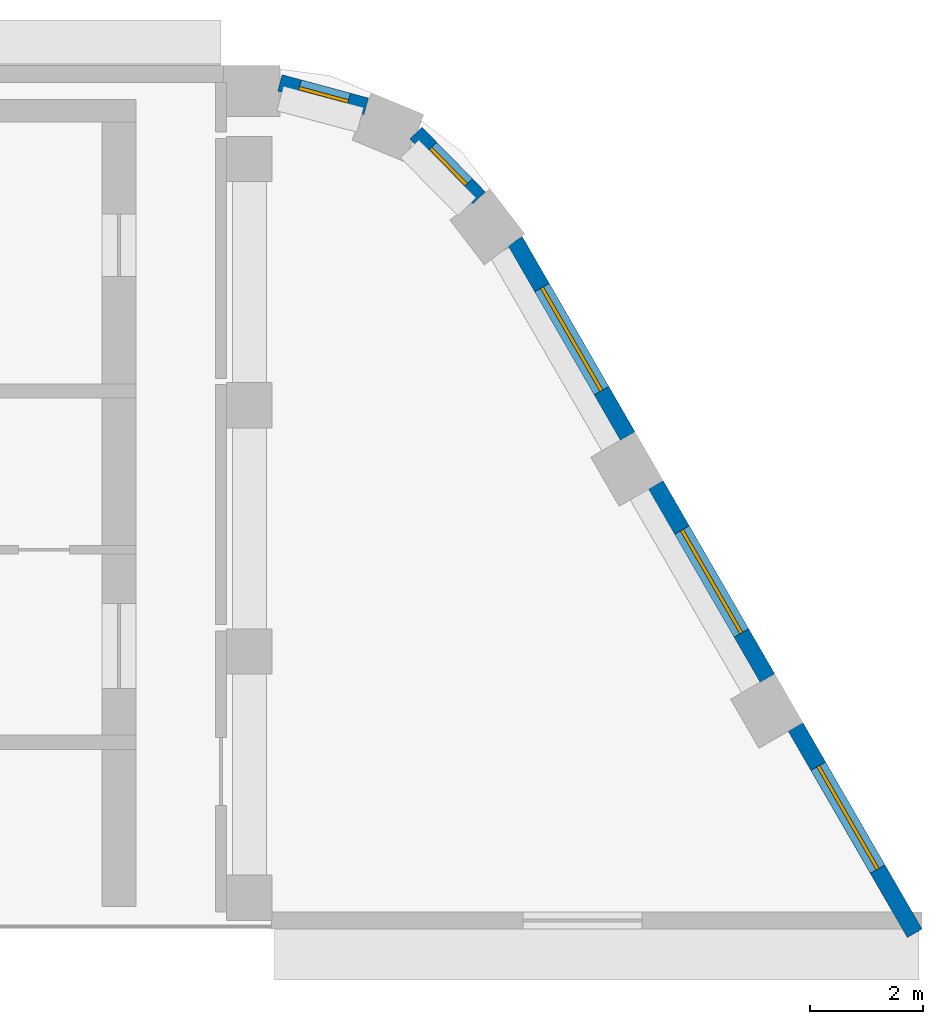
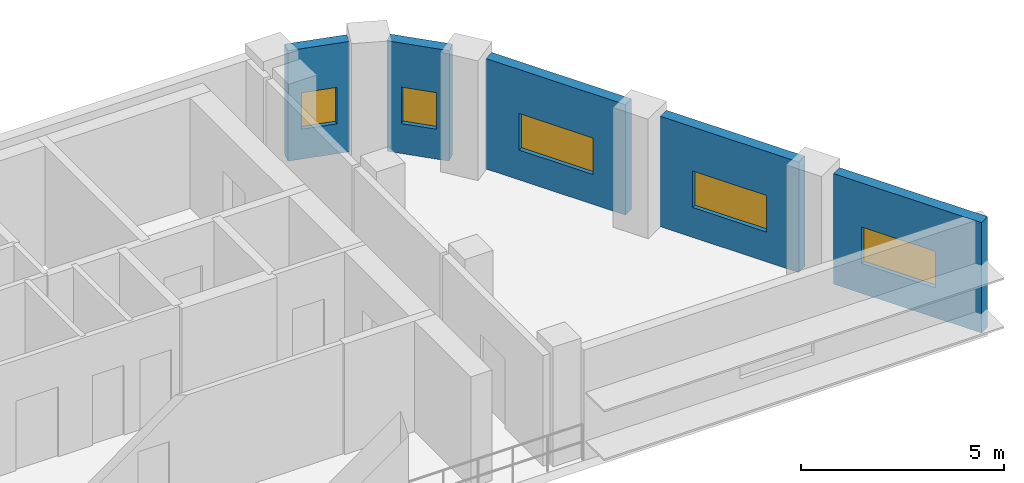
# One storey, part 3 of 4: 5 walls, 5 windows, 5 openings.
"""IFC4 building model written with IfcOpenShell, lengths in metres."""

from ifc_helpers import new_model, si_unit, direction, frame, frame_2d, origin, place, context, subcontext, project, spatial, rectangle, extrude, material, layer, layer_set, type_object, element, fill, save


model = new_model("IFC4")

# Units and contexts
model_context = context("Model", 3, precision=1e-05, world=origin(), true_north=direction((0.0, 1.0)))
body_context = subcontext(model_context, "Body", "Model", "MODEL_VIEW")
ifc_project = project(units=[si_unit("LENGTHUNIT", "METRE"), si_unit("AREAUNIT", "SQUARE_METRE"), si_unit("VOLUMEUNIT", "CUBIC_METRE"), si_unit("PLANEANGLEUNIT", "RADIAN"), si_unit("MASSUNIT", "GRAM", prefix="KILO")], contexts=[model_context])

# Site, building, storey
site_placement = place(None, origin())
site = spatial("IfcSite", under=ifc_project, at=site_placement, CompositionType="ELEMENT")
building_placement = place(site_placement, origin())
building = spatial("IfcBuilding", under=site, at=building_placement, Name="Nakaniwa Court", CompositionType="ELEMENT")
storey_placement = place(building_placement, frame((0.0, 0.0, 294.0)))
storey = spatial("IfcBuildingStorey", under=building, at=storey_placement, Name="C07", CompositionType="ELEMENT", Elevation=294.0)

# Wall, opening, window
ifc_material_1 = material(Name="Charcoal ceramic cladding")
ifc_layer_1 = layer(ifc_material_1, 0.02, Name="Ceramic cladding")
ifc_material_2 = material(Name="Ventilated air cavity")
ifc_layer_2 = layer(ifc_material_2, 0.04, ventilated=True, Name="Ventilated cavity")
ifc_material_3 = material(Name="Mineral wool insulation")
ifc_layer_3 = layer(ifc_material_3, 0.1, Name="Insulation")
ifc_material_4 = material(Name="Cement bonded sheathing board")
ifc_layer_4 = layer(ifc_material_4, 0.012, Name="Sheathing")
ifc_material_5 = material(Name="Cold-formed galvanised stud frame with mineral wool infill")
ifc_layer_5 = layer(ifc_material_5, 0.1, Name="Stud frame")
ifc_material_6 = material(Name="Fire-rated gypsum plasterboard lining")
ifc_layer_6 = layer(ifc_material_6, 0.028, Name="Lining")
ifc_layer_set = layer_set([ifc_layer_1, ifc_layer_2, ifc_layer_3, ifc_layer_4, ifc_layer_5, ifc_layer_6], Name="Charcoal ceramic faced external wall system")
wall_type = type_object("IfcWallType", Name="Black ceramic faced external wall 300", PredefinedType="SOLIDWALL", material=ifc_layer_set)
wall_1_placement = place(storey_placement, frame((101.751708984375, 87.324951171875, 0.0), z_axis=(0.0, 0.0, 1.0), x_axis=(-0.499981865284, 0.866035873614, 0.0)))
wall_1 = element("IfcWall", 1, at=wall_1_placement, inside=storey, type_object=wall_type, Name="C07 external wall 04", PredefinedType="SOLIDWALL", context=body_context, shape_type="SweptSolid", body=[
    extrude(rectangle(XDim=4.209228515625, YDim=0.300048828125, at=frame_2d((2.1044921875, 0.0))), origin(), (0.0, 0.0, 1.0), 3.324951171875),
])
opening_1_placement = place(wall_1_placement, frame((1.30810546875, 0.0, 0.89990234375)))
opening_1 = element("IfcOpeningElement", 2, at=opening_1_placement, cuts=wall_1, Name="Opening W7.02", PredefinedType="OPENING", context=body_context, shape_type="SweptSolid", body=[
    extrude(rectangle(XDim=2.10009765625, YDim=1.10009765625, at=frame_2d((1.050048828125, 0.550048828125))), frame((0.0, 0.159912109375, 0.0), z_axis=(0.0, -1.0, 0.0), x_axis=(1.0, 0.0, 0.0)), (0.0, 0.0, 1.0), 0.320068359375),
])
ifc_material_7 = material(Name="Black anodised aluminium frame with dark low-E laminated double glazing", Category="aluminium")
window_type_1 = type_object("IfcWindowType", Name="Dark glass window 2100x1100 sill 900", PartitioningType="SINGLE_PANEL", PredefinedType="WINDOW", material=ifc_material_7)
window_1_placement = place(opening_1_placement, origin())
window_1 = element("IfcWindow", 3, at=window_1_placement, inside=storey, type_object=window_type_1, Name="C07 habitable room window 04-0", OverallHeight=1.10009765625, OverallWidth=2.10009765625, PartitioningType="SINGLE_PANEL", PredefinedType="WINDOW", context=body_context, shape_type="SweptSolid", body=[
    extrude(rectangle(XDim=2.10009765625, YDim=1.10009765625, at=frame_2d((1.050048828125, 0.550048828125))), frame((0.0, 0.030029296875, 0.0), z_axis=(0.0, -1.0, 0.0), x_axis=(1.0, 0.0, 0.0)), (0.0, 0.0, 1.0), 0.06005859375),
])
fill(opening_1, window_1)

wall_2_placement = place(storey_placement, frame((99.151123046875, 91.8291015625, 0.0), z_axis=(0.0, 0.0, 1.0), x_axis=(-0.499986771468, 0.866033041146, 0.0)))
wall_2 = element("IfcWall", 4, at=wall_2_placement, inside=storey, type_object=wall_type, Name="C07 external wall 05", PredefinedType="SOLIDWALL", context=body_context, shape_type="SweptSolid", body=[
    extrude(rectangle(XDim=3.9443359375, YDim=0.300048828125, at=frame_2d((1.97216796875, 0.0))), origin(), (0.0, 0.0, 1.0), 3.324951171875),
])
opening_2_placement = place(wall_2_placement, frame((0.922119140625, 0.0, 0.89990234375)))
opening_2 = element("IfcOpeningElement", 5, at=opening_2_placement, cuts=wall_2, Name="Opening W7.03", PredefinedType="OPENING", context=body_context, shape_type="SweptSolid", body=[
    extrude(rectangle(XDim=2.10009765625, YDim=1.10009765625, at=frame_2d((1.050048828125, 0.550048828125))), frame((0.0, 0.159912109375, 0.0), z_axis=(0.0, -1.0, 0.0), x_axis=(1.0, 0.0, 0.0)), (0.0, 0.0, 1.0), 0.320068359375),
])
window_2_placement = place(opening_2_placement, origin())
window_2 = element("IfcWindow", 6, at=window_2_placement, inside=storey, type_object=window_type_1, Name="C07 habitable room window 05-0", OverallHeight=1.10009765625, OverallWidth=2.10009765625, PartitioningType="SINGLE_PANEL", PredefinedType="WINDOW", context=body_context, shape_type="SweptSolid", body=[
    extrude(rectangle(XDim=2.10009765625, YDim=1.10009765625, at=frame_2d((1.050048828125, 0.550048828125))), frame((0.0, 0.030029296875, 0.0), z_axis=(0.0, -1.0, 0.0), x_axis=(1.0, 0.0, 0.0)), (0.0, 0.0, 1.0), 0.06005859375),
])
fill(opening_2, window_2)

wall_3_placement = place(storey_placement, frame((96.68310546875, 96.10400390625, 0.0), z_axis=(0.0, 0.0, 1.0), x_axis=(-0.500005687176, 0.866022120267, 0.0)))
wall_3 = element("IfcWall", 7, at=wall_3_placement, inside=storey, type_object=wall_type, Name="C07 external wall 06", PredefinedType="SOLIDWALL", context=body_context, shape_type="SweptSolid", body=[
    extrude(rectangle(XDim=3.9794921875, YDim=0.300048828125, at=frame_2d((1.98974609375, 0.0))), origin(), (0.0, 0.0, 1.0), 3.324951171875),
])
opening_3_placement = place(wall_3_placement, frame((0.928466796875, 0.0, 0.89990234375)))
opening_3 = element("IfcOpeningElement", 8, at=opening_3_placement, cuts=wall_3, Name="Opening W7.04", PredefinedType="OPENING", context=body_context, shape_type="SweptSolid", body=[
    extrude(rectangle(XDim=2.10009765625, YDim=1.10009765625, at=frame_2d((1.050048828125, 0.550048828125))), frame((0.0, 0.159912109375, 0.0), z_axis=(0.0, -1.0, 0.0), x_axis=(1.0, 0.0, 0.0)), (0.0, 0.0, 1.0), 0.320068359375),
])
window_3_placement = place(opening_3_placement, origin())
window_3 = element("IfcWindow", 9, at=window_3_placement, inside=storey, type_object=window_type_1, Name="C07 habitable room window 06-0", OverallHeight=1.10009765625, OverallWidth=2.10009765625, PartitioningType="SINGLE_PANEL", PredefinedType="WINDOW", context=body_context, shape_type="SweptSolid", body=[
    extrude(rectangle(XDim=2.10009765625, YDim=1.10009765625, at=frame_2d((1.050048828125, 0.550048828125))), frame((0.0, 0.030029296875, 0.0), z_axis=(0.0, -1.0, 0.0), x_axis=(1.0, 0.0, 0.0)), (0.0, 0.0, 1.0), 0.06005859375),
])
fill(opening_3, window_3)

wall_4_placement = place(storey_placement, frame((94.059814453125, 100.314697265625, 0.0), z_axis=(0.0, 0.0, 1.0), x_axis=(-0.6992720923, 0.714855608449, 0.0)))
wall_4 = element("IfcWall", 10, at=wall_4_placement, inside=storey, type_object=wall_type, Name="C07 external wall 07", PredefinedType="SOLIDWALL", context=body_context, shape_type="SweptSolid", body=[
    extrude(rectangle(XDim=1.597900390625, YDim=0.300048828125, at=frame_2d((0.798828125, 0.0))), origin(), (0.0, 0.0, 1.0), 3.324951171875),
])
opening_4_placement = place(wall_4_placement, frame((0.32470703125, 0.0, 0.89990234375)))
opening_4 = element("IfcOpeningElement", 11, at=opening_4_placement, cuts=wall_4, Name="Opening W9.05", PredefinedType="OPENING", context=body_context, shape_type="SweptSolid", body=[
    extrude(rectangle(XDim=0.89990234375, YDim=1.10009765625, at=frame_2d((0.449951171875, 0.550048828125))), frame((0.0, 0.159912109375, 0.0), z_axis=(0.0, -1.0, 0.0), x_axis=(1.0, 0.0, 0.0)), (0.0, 0.0, 1.0), 0.320068359375),
])
window_type_2 = type_object("IfcWindowType", Name="Dark glass window 900x1100 sill 900", PartitioningType="SINGLE_PANEL", PredefinedType="WINDOW", material=ifc_material_7)
window_4_placement = place(opening_4_placement, origin())
window_4 = element("IfcWindow", 12, at=window_4_placement, inside=storey, type_object=window_type_2, Name="C07 habitable room window 07-0", OverallHeight=1.10009765625, OverallWidth=0.89990234375, PartitioningType="SINGLE_PANEL", PredefinedType="WINDOW", context=body_context, shape_type="SweptSolid", body=[
    extrude(rectangle(XDim=0.89990234375, YDim=1.10009765625, at=frame_2d((0.449951171875, 0.550048828125))), frame((0.0, 0.030029296875, 0.0), z_axis=(0.0, -1.0, 0.0), x_axis=(1.0, 0.0, 0.0)), (0.0, 0.0, 1.0), 0.06005859375),
])
fill(opening_4, window_4)

wall_5_placement = place(storey_placement, frame((92.064697265625, 101.930908203125, 0.0), z_axis=(0.0, 0.0, 1.0), x_axis=(-0.965371819036, 0.260877846914, 0.0)))
wall_5 = element("IfcWall", 13, at=wall_5_placement, inside=storey, type_object=wall_type, Name="C07 external wall 08", PredefinedType="SOLIDWALL", context=body_context, shape_type="SweptSolid", body=[
    extrude(rectangle(XDim=1.577880859375, YDim=0.300048828125, at=frame_2d((0.7890625, 0.0))), origin(), (0.0, 0.0, 1.0), 3.324951171875),
])
opening_5_placement = place(wall_5_placement, frame((0.32861328125, 0.0, 0.89990234375)))
opening_5 = element("IfcOpeningElement", 14, at=opening_5_placement, cuts=wall_5, Name="Opening W9.06", PredefinedType="OPENING", context=body_context, shape_type="SweptSolid", body=[
    extrude(rectangle(XDim=0.89990234375, YDim=1.10009765625, at=frame_2d((0.449951171875, 0.550048828125))), frame((0.0, 0.159912109375, 0.0), z_axis=(0.0, -1.0, 0.0), x_axis=(1.0, 0.0, 0.0)), (0.0, 0.0, 1.0), 0.320068359375),
])
window_5_placement = place(opening_5_placement, origin())
window_5 = element("IfcWindow", 15, at=window_5_placement, inside=storey, type_object=window_type_2, Name="C07 habitable room window 08-0", OverallHeight=1.10009765625, OverallWidth=0.89990234375, PartitioningType="SINGLE_PANEL", PredefinedType="WINDOW", context=body_context, shape_type="SweptSolid", body=[
    extrude(rectangle(XDim=0.89990234375, YDim=1.10009765625, at=frame_2d((0.449951171875, 0.550048828125))), frame((0.0, 0.030029296875, 0.0), z_axis=(0.0, -1.0, 0.0), x_axis=(1.0, 0.0, 0.0)), (0.0, 0.0, 1.0), 0.06005859375),
])
fill(opening_5, window_5)

save(model, "model.ifc")
